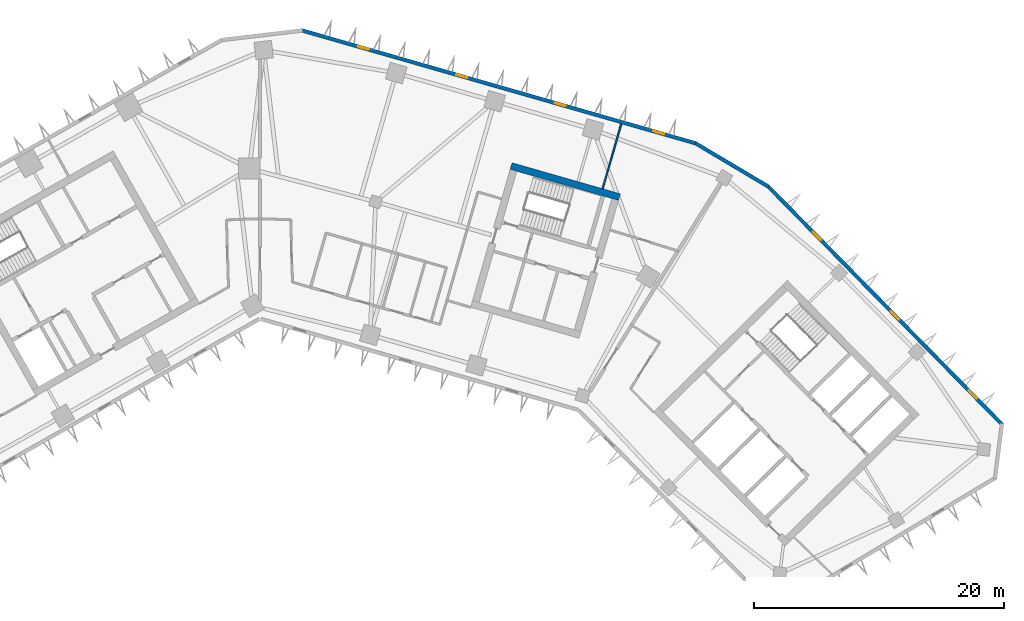
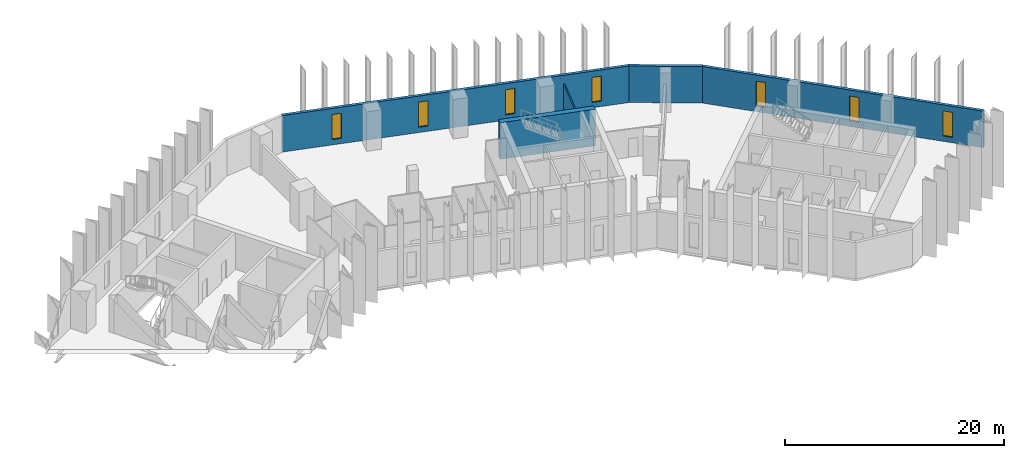
# One storey, part 7 of 11: 7 windows, 5 walls, 7 openings.
"""IFC4 building model written with IfcOpenShell, lengths in metres."""

from ifc_helpers import new_model, si_unit, direction, frame, frame_2d, origin, place, context, subcontext, project, spatial, rectangle, extrude, material, layer, layer_set, type_object, element, fill, save


model = new_model("IFC4")

# Units and contexts
model_context = context("Model", 3, precision=1e-05, world=origin(), true_north=direction((0.0, 1.0)))
body_context = subcontext(model_context, "Body", "Model", "MODEL_VIEW")
ifc_project = project(units=[si_unit("LENGTHUNIT", "METRE"), si_unit("AREAUNIT", "SQUARE_METRE"), si_unit("VOLUMEUNIT", "CUBIC_METRE"), si_unit("PLANEANGLEUNIT", "RADIAN"), si_unit("MASSUNIT", "GRAM", prefix="KILO")], contexts=[model_context])

# Site, building, storey
site_placement = place(None, origin())
site = spatial("IfcSite", under=ifc_project, at=site_placement, CompositionType="ELEMENT")
building_placement = place(site_placement, origin())
building = spatial("IfcBuilding", under=site, at=building_placement, Name="Binnacle Exchange Tower", CompositionType="ELEMENT")
storey_placement = place(building_placement, frame((0.0, 0.0, 123.5)))
storey = spatial("IfcBuildingStorey", under=building, at=storey_placement, Name="L25", CompositionType="ELEMENT", Elevation=123.5)

# Walls
ifc_material_1 = material(Name="Concrete C70/85", Category="concrete")
ifc_layer_1 = layer(ifc_material_1, 0.550048828125)
ifc_layer_set_1 = layer_set([ifc_layer_1], Name="Core wall - outer 550")
wall_type_1 = type_object("IfcWallType", Name="Core wall - outer 550", PredefinedType="SOLIDWALL", material=ifc_layer_set_1)
wall_1_placement = place(storey_placement, frame((20.059814453125, 60.20361328125, 0.0), z_axis=(0.0, 0.0, 1.0), x_axis=(0.96126248289, -0.275634611374, 0.0)))
element("IfcWall", 1, at=wall_1_placement, inside=storey, type_object=wall_type_1, Name="Core wall CRWD6", PredefinedType="SOLIDWALL", context=body_context, shape_type="SweptSolid", body=[
    extrude(rectangle(XDim=9.0, YDim=0.550048828125, at=frame_2d((4.5, 0.0))), origin(), (0.0, 0.0, 1.0), 4.080078125),
])
ifc_material_2 = material(Name="Bronze aluminium cladding", Category="aluminium")
ifc_layer_2 = layer(ifc_material_2, 0.300048828125)
ifc_layer_set_2 = layer_set([ifc_layer_2], Name="External wall - spandrel 300")
wall_type_2 = type_object("IfcWallType", Name="External wall - spandrel 300", PredefinedType="STANDARD", material=ifc_layer_set_2)
wall_2_placement = place(storey_placement, frame((34.773193359375, 62.0341796875, 0.0), z_axis=(0.0, 0.0, 1.0), x_axis=(0.859401317772, -0.511301647769, 0.0)))
element("IfcWall", 2, at=wall_2_placement, inside=storey, type_object=wall_type_2, Name="External wall EW-F00 L25", PredefinedType="STANDARD", context=body_context, shape_type="SweptSolid", body=[
    extrude(rectangle(XDim=6.80810546875, YDim=0.300048828125, at=frame_2d((3.404052734375, 0.0))), origin(), (0.0, 0.0, 1.0), 4.080078125),
])

# Wall, openings, windows
wall_3_placement = place(storey_placement, frame((3.33544921875, 71.043701171875, 0.0), z_axis=(0.0, 0.0, 1.0), x_axis=(0.961260130989, -0.275642813387, 0.0)))
wall_3 = element("IfcWall", 3, at=wall_3_placement, inside=storey, type_object=wall_type_2, Name="External wall EW-F01 L25", PredefinedType="STANDARD", context=body_context, shape_type="SweptSolid", body=[
    extrude(rectangle(XDim=32.7412109375, YDim=0.300048828125, at=frame_2d((16.37060546875, 0.0))), origin(), (0.0, 0.0, 1.0), 4.080078125),
])
opening_1_placement = place(wall_3_placement, frame((29.20703125, 0.0, 0.60009765625)))
opening_1 = element("IfcOpeningElement", 4, at=opening_1_placement, cuts=wall_3, Name="Opening WS2", PredefinedType="OPENING", context=body_context, shape_type="SweptSolid", body=[
    extrude(rectangle(XDim=0.89990234375, YDim=2.800048828125, at=frame_2d((0.449951171875, 1.39990234375))), frame((0.0, 0.159912109375, 0.0), z_axis=(0.0, -1.0, 0.0), x_axis=(1.0, 0.0, 0.0)), (0.0, 0.0, 1.0), 0.320068359375),
])
opening_2_placement = place(wall_3_placement, frame((21.0341796875, 0.0, 0.60009765625)))
opening_2 = element("IfcOpeningElement", 5, at=opening_2_placement, cuts=wall_3, Name="Opening WS2", PredefinedType="OPENING", context=body_context, shape_type="SweptSolid", body=[
    extrude(rectangle(XDim=0.89990234375, YDim=2.800048828125, at=frame_2d((0.449951171875, 1.39990234375))), frame((0.0, 0.159912109375, 0.0), z_axis=(0.0, -1.0, 0.0), x_axis=(1.0, 0.0, 0.0)), (0.0, 0.0, 1.0), 0.320068359375),
])
opening_3_placement = place(wall_3_placement, frame((12.861083984375, 0.0, 0.60009765625)))
opening_3 = element("IfcOpeningElement", 6, at=opening_3_placement, cuts=wall_3, Name="Opening WS2", PredefinedType="OPENING", context=body_context, shape_type="SweptSolid", body=[
    extrude(rectangle(XDim=0.89990234375, YDim=2.800048828125, at=frame_2d((0.449951171875, 1.39990234375))), frame((0.0, 0.159912109375, 0.0), z_axis=(0.0, -1.0, 0.0), x_axis=(1.0, 0.0, 0.0)), (0.0, 0.0, 1.0), 0.320068359375),
])
opening_4_placement = place(wall_3_placement, frame((4.688232421875, 0.0, 0.60009765625)))
opening_4 = element("IfcOpeningElement", 7, at=opening_4_placement, cuts=wall_3, Name="Opening WS2", PredefinedType="OPENING", context=body_context, shape_type="SweptSolid", body=[
    extrude(rectangle(XDim=0.89990234375, YDim=2.800048828125, at=frame_2d((0.449951171875, 1.39990234375))), frame((0.0, 0.159912109375, 0.0), z_axis=(0.0, -1.0, 0.0), x_axis=(1.0, 0.0, 0.0)), (0.0, 0.0, 1.0), 0.320068359375),
])
ifc_material_3 = material(Name="Bronze anodised aluminium frame", Category="aluminium")
window_type = type_object("IfcWindowType", Name="WS2 WINDOW 900x2800", PartitioningType="SINGLE_PANEL", PredefinedType="WINDOW", material=ifc_material_3)
window_1_placement = place(opening_1_placement, origin())
window_1 = element("IfcWindow", 8, at=window_1_placement, inside=storey, type_object=window_type, Name="Window WS2 L25", OverallHeight=2.800048828125, OverallWidth=0.89990234375, PartitioningType="SINGLE_PANEL", PredefinedType="WINDOW", context=body_context, shape_type="SweptSolid", body=[
    extrude(rectangle(XDim=0.89990234375, YDim=2.800048828125, at=frame_2d((0.449951171875, 1.39990234375))), frame((0.0, 0.030029296875, 0.0), z_axis=(0.0, -1.0, 0.0), x_axis=(1.0, 0.0, 0.0)), (0.0, 0.0, 1.0), 0.06005859375),
])
fill(opening_1, window_1)
window_2_placement = place(opening_2_placement, origin())
window_2 = element("IfcWindow", 9, at=window_2_placement, inside=storey, type_object=window_type, Name="Window WS2 L25", OverallHeight=2.800048828125, OverallWidth=0.89990234375, PartitioningType="SINGLE_PANEL", PredefinedType="WINDOW", context=body_context, shape_type="SweptSolid", body=[
    extrude(rectangle(XDim=0.89990234375, YDim=2.800048828125, at=frame_2d((0.449951171875, 1.39990234375))), frame((0.0, 0.030029296875, 0.0), z_axis=(0.0, -1.0, 0.0), x_axis=(1.0, 0.0, 0.0)), (0.0, 0.0, 1.0), 0.06005859375),
])
fill(opening_2, window_2)
window_3_placement = place(opening_3_placement, origin())
window_3 = element("IfcWindow", 10, at=window_3_placement, inside=storey, type_object=window_type, Name="Window WS2 L25", OverallHeight=2.800048828125, OverallWidth=0.89990234375, PartitioningType="SINGLE_PANEL", PredefinedType="WINDOW", context=body_context, shape_type="SweptSolid", body=[
    extrude(rectangle(XDim=0.89990234375, YDim=2.800048828125, at=frame_2d((0.449951171875, 1.39990234375))), frame((0.0, 0.030029296875, 0.0), z_axis=(0.0, -1.0, 0.0), x_axis=(1.0, 0.0, 0.0)), (0.0, 0.0, 1.0), 0.06005859375),
])
fill(opening_3, window_3)
window_4_placement = place(opening_4_placement, origin())
window_4 = element("IfcWindow", 11, at=window_4_placement, inside=storey, type_object=window_type, Name="Window WS2 L25", OverallHeight=2.800048828125, OverallWidth=0.89990234375, PartitioningType="SINGLE_PANEL", PredefinedType="WINDOW", context=body_context, shape_type="SweptSolid", body=[
    extrude(rectangle(XDim=0.89990234375, YDim=2.800048828125, at=frame_2d((0.449951171875, 1.39990234375))), frame((0.0, 0.030029296875, 0.0), z_axis=(0.0, -1.0, 0.0), x_axis=(1.0, 0.0, 0.0)), (0.0, 0.0, 1.0), 0.06005859375),
])
fill(opening_4, window_4)

wall_4_placement = place(storey_placement, frame((40.59375, 58.576904296875, 0.0), z_axis=(0.0, 0.0, 1.0), x_axis=(0.700909719808, -0.713250001528, 0.0)))
wall_4 = element("IfcWall", 12, at=wall_4_placement, inside=storey, type_object=wall_type_2, Name="External wall EW-F13 L25", PredefinedType="STANDARD", context=body_context, shape_type="SweptSolid", body=[
    extrude(rectangle(XDim=26.70849609375, YDim=0.300048828125, at=frame_2d((13.354248046875, 0.0))), origin(), (0.0, 0.0, 1.0), 4.080078125),
])
opening_5_placement = place(wall_4_placement, frame((22.8583984375, 0.0, 0.60009765625)))
opening_5 = element("IfcOpeningElement", 13, at=opening_5_placement, cuts=wall_4, Name="Opening WS2", PredefinedType="OPENING", context=body_context, shape_type="SweptSolid", body=[
    extrude(rectangle(XDim=0.89990234375, YDim=2.800048828125, at=frame_2d((0.449951171875, 1.39990234375))), frame((0.0, 0.159912109375, 0.0), z_axis=(0.0, -1.0, 0.0), x_axis=(1.0, 0.0, 0.0)), (0.0, 0.0, 1.0), 0.320068359375),
])
opening_6_placement = place(wall_4_placement, frame((13.986572265625, 0.0, 0.60009765625)))
opening_6 = element("IfcOpeningElement", 14, at=opening_6_placement, cuts=wall_4, Name="Opening WS2", PredefinedType="OPENING", context=body_context, shape_type="SweptSolid", body=[
    extrude(rectangle(XDim=0.89990234375, YDim=2.800048828125, at=frame_2d((0.449951171875, 1.39990234375))), frame((0.0, 0.159912109375, 0.0), z_axis=(0.0, -1.0, 0.0), x_axis=(1.0, 0.0, 0.0)), (0.0, 0.0, 1.0), 0.320068359375),
])
opening_7_placement = place(wall_4_placement, frame((5.114501953125, 0.0, 0.60009765625)))
opening_7 = element("IfcOpeningElement", 15, at=opening_7_placement, cuts=wall_4, Name="Opening WS2", PredefinedType="OPENING", context=body_context, shape_type="SweptSolid", body=[
    extrude(rectangle(XDim=0.89990234375, YDim=2.800048828125, at=frame_2d((0.449951171875, 1.39990234375))), frame((0.0, 0.159912109375, 0.0), z_axis=(0.0, -1.0, 0.0), x_axis=(1.0, 0.0, 0.0)), (0.0, 0.0, 1.0), 0.320068359375),
])
window_5_placement = place(opening_5_placement, origin())
window_5 = element("IfcWindow", 16, at=window_5_placement, inside=storey, type_object=window_type, Name="Window WS2 L25", OverallHeight=2.800048828125, OverallWidth=0.89990234375, PartitioningType="SINGLE_PANEL", PredefinedType="WINDOW", context=body_context, shape_type="SweptSolid", body=[
    extrude(rectangle(XDim=0.89990234375, YDim=2.800048828125, at=frame_2d((0.449951171875, 1.39990234375))), frame((0.0, 0.030029296875, 0.0), z_axis=(0.0, -1.0, 0.0), x_axis=(1.0, 0.0, 0.0)), (0.0, 0.0, 1.0), 0.06005859375),
])
fill(opening_5, window_5)
window_6_placement = place(opening_6_placement, origin())
window_6 = element("IfcWindow", 17, at=window_6_placement, inside=storey, type_object=window_type, Name="Window WS2 L25", OverallHeight=2.800048828125, OverallWidth=0.89990234375, PartitioningType="SINGLE_PANEL", PredefinedType="WINDOW", context=body_context, shape_type="SweptSolid", body=[
    extrude(rectangle(XDim=0.89990234375, YDim=2.800048828125, at=frame_2d((0.449951171875, 1.39990234375))), frame((0.0, 0.030029296875, 0.0), z_axis=(0.0, -1.0, 0.0), x_axis=(1.0, 0.0, 0.0)), (0.0, 0.0, 1.0), 0.06005859375),
])
fill(opening_6, window_6)
window_7_placement = place(opening_7_placement, origin())
window_7 = element("IfcWindow", 18, at=window_7_placement, inside=storey, type_object=window_type, Name="Window WS2 L25", OverallHeight=2.800048828125, OverallWidth=0.89990234375, PartitioningType="SINGLE_PANEL", PredefinedType="WINDOW", context=body_context, shape_type="SweptSolid", body=[
    extrude(rectangle(XDim=0.89990234375, YDim=2.800048828125, at=frame_2d((0.449951171875, 1.39990234375))), frame((0.0, 0.030029296875, 0.0), z_axis=(0.0, -1.0, 0.0), x_axis=(1.0, 0.0, 0.0)), (0.0, 0.0, 1.0), 0.06005859375),
])
fill(opening_7, window_7)

# Wall
ifc_material_4 = material(Name="Gypsum partition")
ifc_layer_3 = layer(ifc_material_4, 0.125)
ifc_layer_set_3 = layer_set([ifc_layer_3], Name="Partition 125")
wall_type_3 = type_object("IfcWallType", Name="Partition 125", PredefinedType="PARTITIONING", material=ifc_layer_set_3)
wall_5_placement = place(storey_placement, frame((27.367919921875, 58.39404296875, 0.0), z_axis=(0.0, 0.0, 1.0), x_axis=(0.276295387056, 0.961072764722, 0.0)))
element("IfcWall", 19, at=wall_5_placement, inside=storey, type_object=wall_type_3, Name="Partition W33", PredefinedType="PARTITIONING", context=body_context, shape_type="SweptSolid", body=[
    extrude(rectangle(XDim=5.3857421875, YDim=0.125, at=frame_2d((2.69287109375, 0.0))), origin(), (0.0, 0.0, 1.0), 3.14208984375),
])

save(model, "model.ifc")
